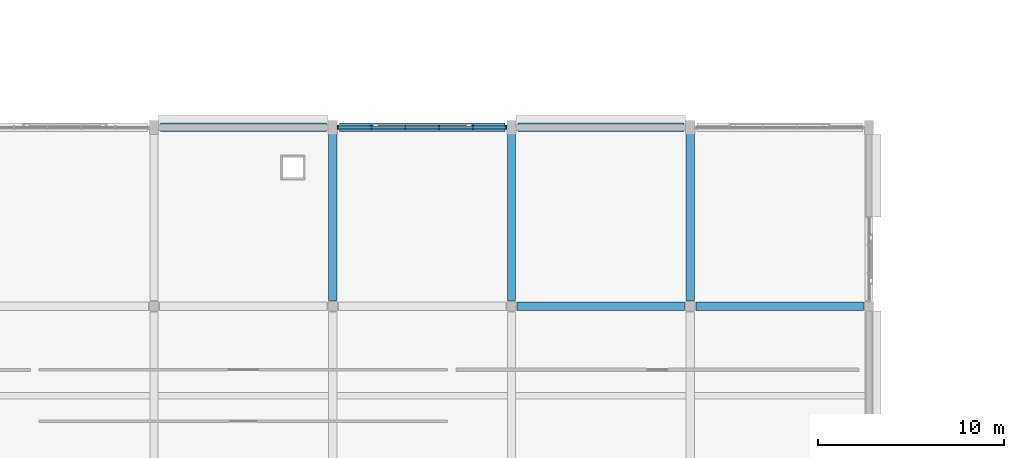
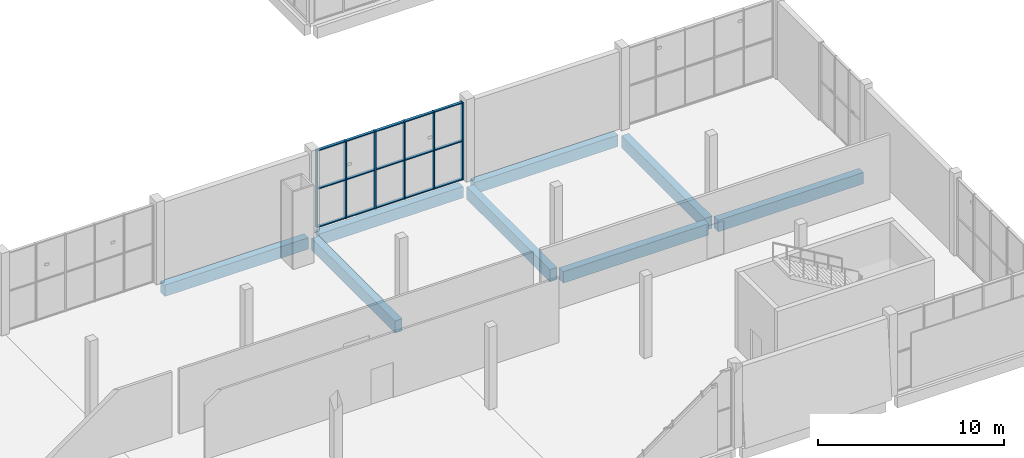
# One storey, part 11 of 83: 9 members, 8 beams, 1 element without a shape of its own.
"""IFC4 building model written with IfcOpenShell, lengths in metres."""

from ifc_helpers import new_model, si_unit, direction, frame, origin, origin_2d, place, context, subcontext, project, spatial, rectangle, extrude, material, material_profile, profile_set, type_object, element, aggregate, save


model = new_model("IFC4")

# Units and contexts
model_context = context("Model", 3, precision=1e-05, world=origin(), true_north=direction((0.0, 1.0)))
body_context = subcontext(model_context, "Body", "Model", "MODEL_VIEW")
ifc_project = project(units=[si_unit("LENGTHUNIT", "METRE"), si_unit("AREAUNIT", "SQUARE_METRE"), si_unit("VOLUMEUNIT", "CUBIC_METRE"), si_unit("PLANEANGLEUNIT", "RADIAN"), si_unit("MASSUNIT", "GRAM", prefix="KILO")], contexts=[model_context])

# Site, building, storey
site_placement = place(None, origin())
site = spatial("IfcSite", under=ifc_project, at=site_placement, CompositionType="ELEMENT")
building_placement = place(site_placement, origin())
building = spatial("IfcBuilding", under=site, at=building_placement, Name="Shalvenor Court Art Gallery", CompositionType="ELEMENT")
storey_placement = place(building_placement, frame((0.0, 0.0, 6.0)))
storey = spatial("IfcBuildingStorey", under=building, at=storey_placement, Name="L01", CompositionType="ELEMENT", Elevation=6.0)

# Beams
ifc_material_1 = material(Name="Concrete C40/50", Category="concrete")
ifc_material_profile_1 = material_profile(ifc_material_1, rectangle(XDim=0.449951171875, YDim=0.800048828125, at=origin_2d()), Name="RC 450x800")
ifc_profile_set_1 = profile_set([ifc_material_profile_1], Name="Concrete C40/50")
beam_type_1 = type_object("IfcBeamType", Name="B-03", PredefinedType="BEAM", material=ifc_profile_set_1)
for number, where, z_axis, x_axis, name in (
    (1, (38.39990234375, 19.5, -0.719970703125), (0.0, 1.0, 0.0), (-1.0, 0.0, 0.0), "L01 Girder BM-L01-B-03-0390"),
    (2, (48.0, 19.5, -0.719970703125), (0.0, 1.0, 0.0), (-1.0, 0.0, 0.0), "L01 Girder BM-L01-B-03-0399"),
    (3, (57.60009765625, 19.5, -0.719970703125), (0.0, 1.0, 0.0), (-1.0, 0.0, 0.0), "L01 Girder BM-L01-B-03-0403"),
):
    element("IfcBeam", number, at=place(storey_placement, frame(where, z_axis=z_axis, x_axis=x_axis)), inside=storey, type_object=beam_type_1, Name=name, PredefinedType="BEAM", context=body_context, shape_type="SweptSolid", body=[
        extrude(rectangle(XDim=0.449951171875, YDim=0.800048828125, at=origin_2d()), origin(), (0.0, 0.0, 1.0), 8.949951171875),
    ])
ifc_material_2 = material(Name="Concrete C40/50", Category="concrete")
ifc_material_profile_2 = material_profile(ifc_material_2, rectangle(XDim=0.449951171875, YDim=0.75, at=origin_2d()), Name="RC 450x750")
ifc_profile_set_2 = profile_set([ifc_material_profile_2], Name="Concrete C40/50")
beam_type_2 = type_object("IfcBeamType", Name="B-04", PredefinedType="BEAM", material=ifc_profile_set_2)
for number, where, z_axis, x_axis, name in (
    (4, (48.300048828125, 19.199951171875, -0.695068359375), (1.0, 0.0, 0.0), (0.0, 1.0, 0.0), "L01 Girder BM-L01-B-04-0510"),
    (5, (57.89990234375, 19.199951171875, -0.695068359375), (1.0, 0.0, 0.0), (0.0, 1.0, 0.0), "L01 Girder BM-L01-B-04-0511"),
):
    element("IfcBeam", number, at=place(storey_placement, frame(where, z_axis=z_axis, x_axis=x_axis)), inside=storey, type_object=beam_type_2, Name=name, PredefinedType="BEAM", context=body_context, shape_type="SweptSolid", body=[
        extrude(rectangle(XDim=0.449951171875, YDim=0.75, at=origin_2d()), origin(), (0.0, 0.0, 1.0), 9.0),
    ])
beam_placement = place(storey_placement, frame((29.14990234375, 28.800048828125, -0.695068359375), z_axis=(1.0, 0.0, 0.0), x_axis=(0.0, 1.0, 0.0)))
element("IfcBeam", 6, at=beam_placement, inside=storey, type_object=beam_type_2, Name="L01 Girder BM-L01-B-04-0521", PredefinedType="BEAM", context=body_context, shape_type="SweptSolid", body=[
    extrude(rectangle(XDim=0.449951171875, YDim=0.75, at=origin_2d()), origin(), (0.0, 0.0, 1.0), 8.900146484375),
])
for number, where, z_axis, x_axis, name in (
    (7, (38.75, 28.800048828125, -0.695068359375), (1.0, 0.0, 0.0), (0.0, 1.0, 0.0), "L01 Girder BM-L01-B-04-0522"),
    (8, (48.35009765625, 28.800048828125, -0.695068359375), (1.0, 0.0, 0.0), (0.0, 1.0, 0.0), "L01 Girder BM-L01-B-04-0523"),
):
    element("IfcBeam", number, at=place(storey_placement, frame(where, z_axis=z_axis, x_axis=x_axis)), inside=storey, type_object=beam_type_2, Name=name, PredefinedType="BEAM", context=body_context, shape_type="SweptSolid", body=[
        extrude(rectangle(XDim=0.449951171875, YDim=0.75, at=origin_2d()), origin(), (0.0, 0.0, 1.0), 8.89990234375),
    ])

# Curtain wall, members
ifc_material_3 = material(Name="Anodised aluminium and low-iron glass curtain wall", Category="aluminium")
curtain_wall_type = type_object("IfcCurtainWallType", Name="CW-5x2-91-51-421", PredefinedType="USERDEFINED", material=ifc_material_3)
curtain_wall_placement = place(storey_placement, origin())
curtain_wall = element("IfcCurtainWall", 9, at=curtain_wall_placement, inside=storey, type_object=curtain_wall_type, Name="L01 V4 Curtain Wall CW-L01-130", ObjectType="CURTAIN WALL", PredefinedType="USERDEFINED")
ifc_material_4 = material(Name="Anodised aluminium mullion", Category="aluminium")
ifc_material_profile_3 = material_profile(ifc_material_4, rectangle(XDim=0.074951171875, YDim=0.219970703125, at=origin_2d()), Name="CWM-04")
ifc_profile_set_3 = profile_set([ifc_material_profile_3], Name="Anodised aluminium mullion")
member_type_1 = type_object("IfcMemberType", Name="CWM-04", PredefinedType="MULLION", material=ifc_profile_set_3)
member_1_placement = place(storey_placement, frame((38.6875, 28.800048828125, 0.0), z_axis=(0.0, 0.0, 1.0), x_axis=(1.0, 0.0, 0.0)))
member_1 = element("IfcMember", 10, at=member_1_placement, type_object=member_type_1, Name="CW-5x2-91-51-421 mullion 1", PredefinedType="MULLION", context=body_context, shape_type="SweptSolid", body=[
    extrude(rectangle(XDim=0.074951171875, YDim=0.219970703125, at=origin_2d()), origin(), (0.0, 0.0, 1.0), 5.080078125),
])
member_2_placement = place(storey_placement, frame((40.469970703125, 28.800048828125, 0.0), z_axis=(0.0, 0.0, 1.0), x_axis=(1.0, 0.0, 0.0)))
member_2 = element("IfcMember", 11, at=member_2_placement, type_object=member_type_1, Name="CW-5x2-91-51-421 mullion 2", PredefinedType="MULLION", context=body_context, shape_type="SweptSolid", body=[
    extrude(rectangle(XDim=0.074951171875, YDim=0.219970703125, at=origin_2d()), origin(), (0.0, 0.0, 1.0), 5.080078125),
])
member_3_placement = place(storey_placement, frame((42.2900390625, 28.800048828125, 0.0), z_axis=(0.0, 0.0, 1.0), x_axis=(1.0, 0.0, 0.0)))
member_3 = element("IfcMember", 12, at=member_3_placement, type_object=member_type_1, Name="CW-5x2-91-51-421 mullion 3", PredefinedType="MULLION", context=body_context, shape_type="SweptSolid", body=[
    extrude(rectangle(XDim=0.074951171875, YDim=0.219970703125, at=origin_2d()), origin(), (0.0, 0.0, 1.0), 5.080078125),
])
member_4_placement = place(storey_placement, frame((44.110107421875, 28.800048828125, 0.0), z_axis=(0.0, 0.0, 1.0), x_axis=(1.0, 0.0, 0.0)))
member_4 = element("IfcMember", 13, at=member_4_placement, type_object=member_type_1, Name="CW-5x2-91-51-421 mullion 4", PredefinedType="MULLION", context=body_context, shape_type="SweptSolid", body=[
    extrude(rectangle(XDim=0.074951171875, YDim=0.219970703125, at=origin_2d()), origin(), (0.0, 0.0, 1.0), 5.080078125),
])
member_5_placement = place(storey_placement, frame((45.929931640625, 28.800048828125, 0.0), z_axis=(0.0, 0.0, 1.0), x_axis=(1.0, 0.0, 0.0)))
member_5 = element("IfcMember", 14, at=member_5_placement, type_object=member_type_1, Name="CW-5x2-91-51-421 mullion 5", PredefinedType="MULLION", context=body_context, shape_type="SweptSolid", body=[
    extrude(rectangle(XDim=0.074951171875, YDim=0.219970703125, at=origin_2d()), origin(), (0.0, 0.0, 1.0), 5.080078125),
])
member_6_placement = place(storey_placement, frame((47.71240234375, 28.800048828125, 0.0), z_axis=(0.0, 0.0, 1.0), x_axis=(1.0, 0.0, 0.0)))
member_6 = element("IfcMember", 15, at=member_6_placement, type_object=member_type_1, Name="CW-5x2-91-51-421 mullion 6", PredefinedType="MULLION", context=body_context, shape_type="SweptSolid", body=[
    extrude(rectangle(XDim=0.074951171875, YDim=0.219970703125, at=origin_2d()), origin(), (0.0, 0.0, 1.0), 5.080078125),
])
ifc_material_5 = material(Name="Anodised aluminium transom", Category="aluminium")
ifc_material_profile_4 = material_profile(ifc_material_5, rectangle(XDim=0.169921875, YDim=0.06494140625, at=origin_2d()), Name="CWT-02")
ifc_profile_set_4 = profile_set([ifc_material_profile_4], Name="Anodised aluminium transom")
member_type_2 = type_object("IfcMemberType", Name="CWT-02", PredefinedType="USERDEFINED", material=ifc_profile_set_4)
member_7_placement = place(storey_placement, frame((38.6875, 28.800048828125, 0.032470703125), z_axis=(1.0, 0.0, 0.0), x_axis=(0.0, 1.0, 0.0)))
member_7 = element("IfcMember", 16, at=member_7_placement, type_object=member_type_2, Name="CW-5x2-91-51-421 transom 1", ObjectType="TRANSOM", PredefinedType="USERDEFINED", context=body_context, shape_type="SweptSolid", body=[
    extrude(rectangle(XDim=0.169921875, YDim=0.06494140625, at=origin_2d()), origin(), (0.0, 0.0, 1.0), 9.02490234375),
])
member_8_placement = place(storey_placement, frame((38.6875, 28.800048828125, 2.5400390625), z_axis=(1.0, 0.0, 0.0), x_axis=(0.0, 1.0, 0.0)))
member_8 = element("IfcMember", 17, at=member_8_placement, type_object=member_type_2, Name="CW-5x2-91-51-421 transom 2", ObjectType="TRANSOM", PredefinedType="USERDEFINED", context=body_context, shape_type="SweptSolid", body=[
    extrude(rectangle(XDim=0.169921875, YDim=0.06494140625, at=origin_2d()), origin(), (0.0, 0.0, 1.0), 9.02490234375),
])
member_9_placement = place(storey_placement, frame((38.6875, 28.800048828125, 5.047607421875), z_axis=(1.0, 0.0, 0.0), x_axis=(0.0, 1.0, 0.0)))
member_9 = element("IfcMember", 18, at=member_9_placement, type_object=member_type_2, Name="CW-5x2-91-51-421 transom 3", ObjectType="TRANSOM", PredefinedType="USERDEFINED", context=body_context, shape_type="SweptSolid", body=[
    extrude(rectangle(XDim=0.169921875, YDim=0.06494140625, at=origin_2d()), origin(), (0.0, 0.0, 1.0), 9.02490234375),
])
aggregate(curtain_wall, [member_1, member_2, member_3, member_4, member_5, member_6, member_7, member_8, member_9])

save(model, "model.ifc")
